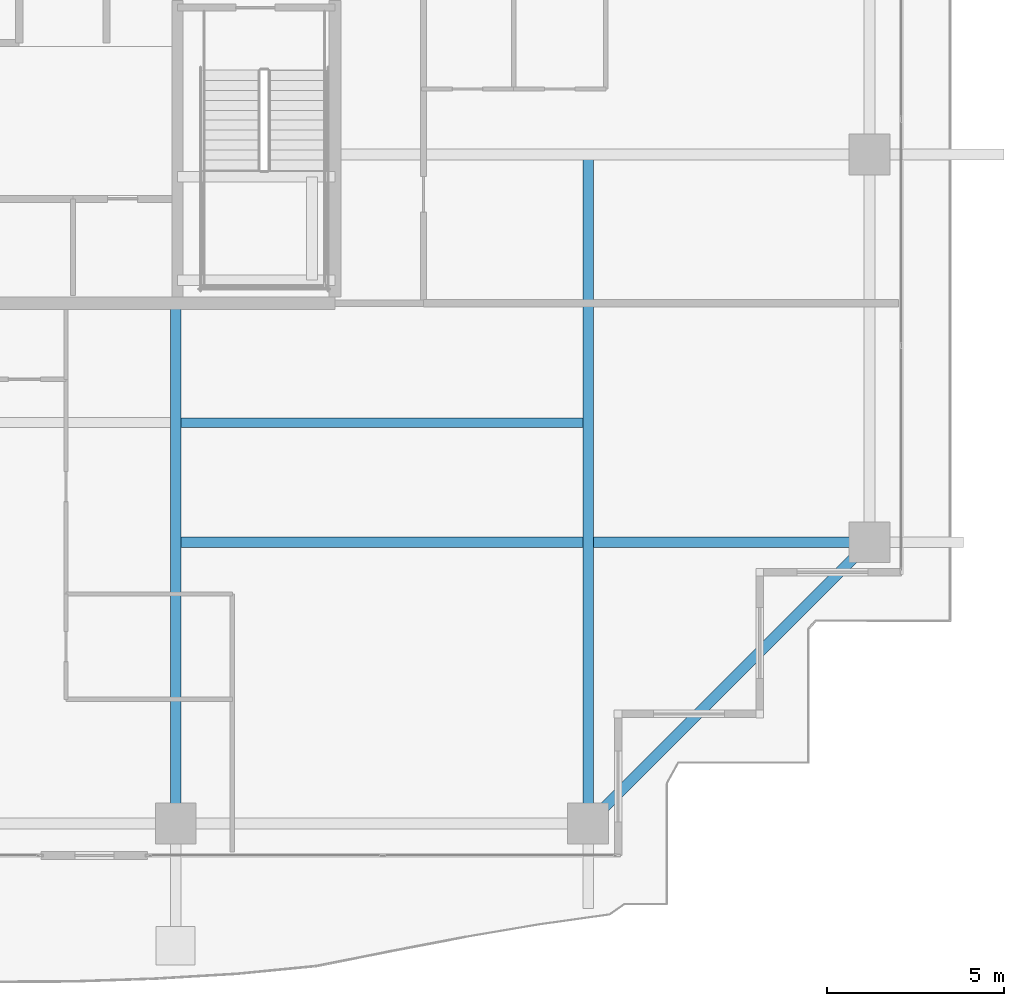
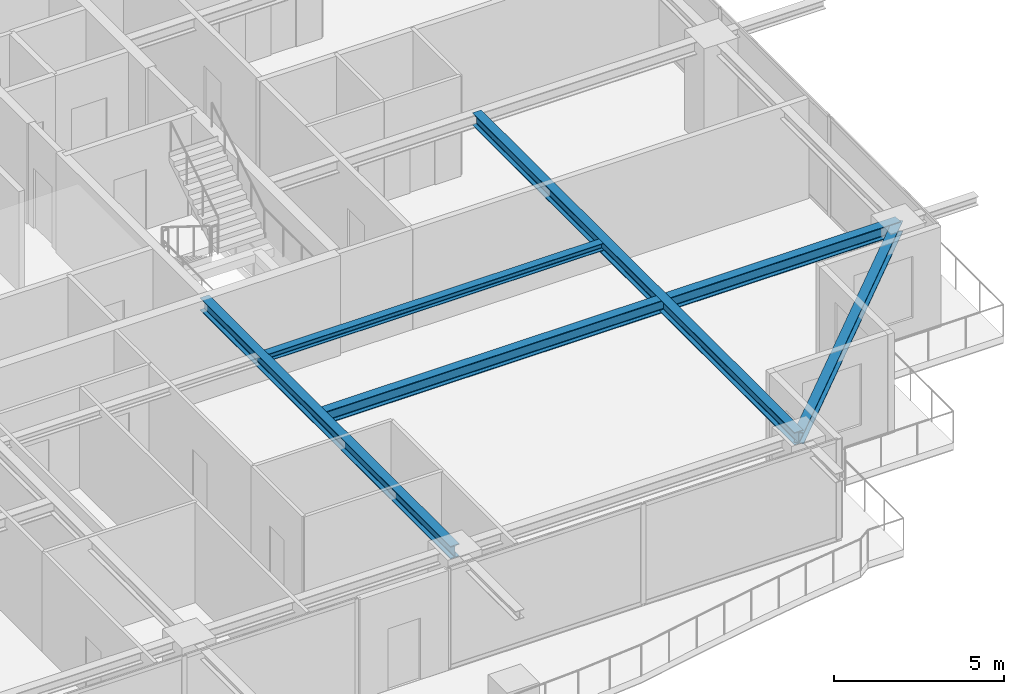
# One storey, part 13 of 36: 5 beams.
"""IFC4 building model written with IfcOpenShell, lengths in metres."""

from ifc_helpers import new_model, si_unit, direction, frame, origin, origin_2d, place, context, subcontext, project, spatial, i_section, extrude, source, transform, mapped, material, material_profile, profile_set, type_object, element, save


model = new_model("IFC4")

# Units and contexts
model_context = context("Model", 3, precision=1e-05, world=origin(), true_north=direction((0.0, 1.0)))
body_context = subcontext(model_context, "Body", "Model", "MODEL_VIEW")
ifc_project = project(units=[si_unit("LENGTHUNIT", "METRE"), si_unit("AREAUNIT", "SQUARE_METRE"), si_unit("VOLUMEUNIT", "CUBIC_METRE"), si_unit("PLANEANGLEUNIT", "RADIAN"), si_unit("MASSUNIT", "GRAM", prefix="KILO")], contexts=[model_context])

# Site, building, storey
site_placement = place(None, origin())
site = spatial("IfcSite", under=ifc_project, at=site_placement, CompositionType="ELEMENT")
building_placement = place(site_placement, origin())
building = spatial("IfcBuilding", under=site, at=building_placement, Name="Serunith Strait Residences", CompositionType="ELEMENT")
storey_placement = place(building_placement, frame((0.0, 0.0, 272.050048828125)))
storey = spatial("IfcBuildingStorey", under=building, at=storey_placement, Name="L68", CompositionType="ELEMENT", Elevation=272.050048828125)

# Beams
ifc_material = material(Name="Steel S355J2", Category="steel")
ifc_material_profile_1 = material_profile(ifc_material, i_section(OverallWidth=0.300048828125, OverallDepth=0.449951171875, WebThickness=0.013916015625, FlangeThickness=0.02587890625, FilletRadius=0.027099609375, at=origin_2d()), Name="HEB 450")
ifc_profile_set_1 = profile_set([ifc_material_profile_1], Name="Steel S355J2")
beam_type_1 = type_object("IfcBeamType", Name="BM-HEB450", PredefinedType="BEAM", material=ifc_profile_set_1)
shared_shape_1 = source(origin(), body_context, "Body", "SweptSolid", [
    extrude(i_section(OverallWidth=0.300048828125, OverallDepth=0.449951171875, WebThickness=0.013916015625, FlangeThickness=0.02587890625, FilletRadius=0.027099609375, at=origin_2d()), origin(), (0.0, 0.0, 1.0), 14.699951171875),
])
beam_1_placement = place(storey_placement, frame((36.89990234375, 16.800048828125, 3.362060546875), z_axis=(0.0, -1.0, 0.0), x_axis=(1.0, 0.0, 0.0)))
element("IfcBeam", 1, at=beam_1_placement, inside=storey, type_object=beam_type_1, Name="L68 Primary Floor Girder TC-S3", PredefinedType="BEAM", context=body_context, shape_type="MappedRepresentation", body=[
    mapped(shared_shape_1, transform((0.0, 0.0, 0.0), scale=1.0)),
])
shared_shape_2 = source(origin(), body_context, "Body", "SweptSolid", [
    extrude(i_section(OverallWidth=0.300048828125, OverallDepth=0.449951171875, WebThickness=0.013916015625, FlangeThickness=0.02587890625, FilletRadius=0.027099609375, at=origin_2d()), origin(), (0.0, 0.0, 1.0), 18.89990234375),
])
beam_2_placement = place(storey_placement, frame((48.550048828125, 21.0, 3.362060546875), z_axis=(0.0, -1.0, 0.0), x_axis=(1.0, 0.0, 0.0)))
element("IfcBeam", 2, at=beam_2_placement, inside=storey, type_object=beam_type_1, Name="L68 Orthogonal Corner Girder TC-S4", PredefinedType="BEAM", context=body_context, shape_type="MappedRepresentation", body=[
    mapped(shared_shape_2, transform((0.0, 0.0, 0.0), scale=1.0)),
])
shared_shape_3 = source(origin(), body_context, "Body", "SweptSolid", [
    extrude(i_section(OverallWidth=0.300048828125, OverallDepth=0.449951171875, WebThickness=0.013916015625, FlangeThickness=0.02587890625, FilletRadius=0.027099609375, at=origin_2d()), origin(), (0.0, 0.0, 1.0), 19.60009765625),
])
beam_3_placement = place(storey_placement, frame((36.89990234375, 10.050048828125, 3.362060546875), z_axis=(1.0, 0.0, 0.0), x_axis=(0.0, 1.0, 0.0)))
element("IfcBeam", 3, at=beam_3_placement, inside=storey, type_object=beam_type_1, Name="L68 Orthogonal Corner Girder TC-E1", PredefinedType="BEAM", context=body_context, shape_type="MappedRepresentation", body=[
    mapped(shared_shape_3, transform((0.0, 0.0, 0.0), scale=1.0)),
])
ifc_material_profile_2 = material_profile(ifc_material, i_section(OverallWidth=0.300048828125, OverallDepth=0.39990234375, WebThickness=0.013427734375, FlangeThickness=0.02392578125, FilletRadius=0.027099609375, at=origin_2d()), Name="HEB 400")
ifc_profile_set_2 = profile_set([ifc_material_profile_2], Name="Steel S355J2")
beam_type_2 = type_object("IfcBeamType", Name="BM-HEB400", PredefinedType="BEAM", material=ifc_profile_set_2)
shared_shape_4 = source(origin(), body_context, "Body", "SweptSolid", [
    extrude(i_section(OverallWidth=0.300048828125, OverallDepth=0.39990234375, WebThickness=0.013427734375, FlangeThickness=0.02392578125, FilletRadius=0.027099609375, at=origin_2d()), origin(), (0.0, 0.0, 1.0), 11.242919921875),
])
beam_4_placement = place(storey_placement, frame((48.550048828125, 2.10009765625, 3.35693359375), z_axis=(0.707106781187, 0.707106781187, 0.0), x_axis=(-0.707106781187, 0.707106781187, 0.0)))
element("IfcBeam", 4, at=beam_4_placement, inside=storey, type_object=beam_type_2, Name="L68 Perimeter Ring Beam 04", PredefinedType="BEAM", context=body_context, shape_type="MappedRepresentation", body=[
    mapped(shared_shape_4, transform((0.0, 0.0, 0.0), scale=1.0)),
])
ifc_material_profile_3 = material_profile(ifc_material, i_section(OverallWidth=0.260009765625, OverallDepth=0.260009765625, WebThickness=0.010009765625, FlangeThickness=0.017578125, FilletRadius=0.02392578125, at=origin_2d()), Name="HEB 260")
ifc_profile_set_3 = profile_set([ifc_material_profile_3], Name="Steel S355J2")
beam_type_3 = type_object("IfcBeamType", Name="BM-HEB260", PredefinedType="JOIST", material=ifc_profile_set_3)
shared_shape_5 = source(origin(), body_context, "Body", "SweptSolid", [
    extrude(i_section(OverallWidth=0.260009765625, OverallDepth=0.260009765625, WebThickness=0.010009765625, FlangeThickness=0.017578125, FilletRadius=0.02392578125, at=origin_2d()), origin(), (0.0, 0.0, 1.0), 11.349853515625),
])
beam_5_placement = place(storey_placement, frame((37.050048828125, 13.425048828125, 3.45703125), z_axis=(1.0, 0.0, 0.0), x_axis=(0.0, 1.0, 0.0)))
element("IfcBeam", 5, at=beam_5_placement, inside=storey, type_object=beam_type_3, Name="L68 Composite Floor Joist 03", PredefinedType="JOIST", context=body_context, shape_type="MappedRepresentation", body=[
    mapped(shared_shape_5, transform((0.0, 0.0, 0.0), scale=1.0)),
])

save(model, "model.ifc")
